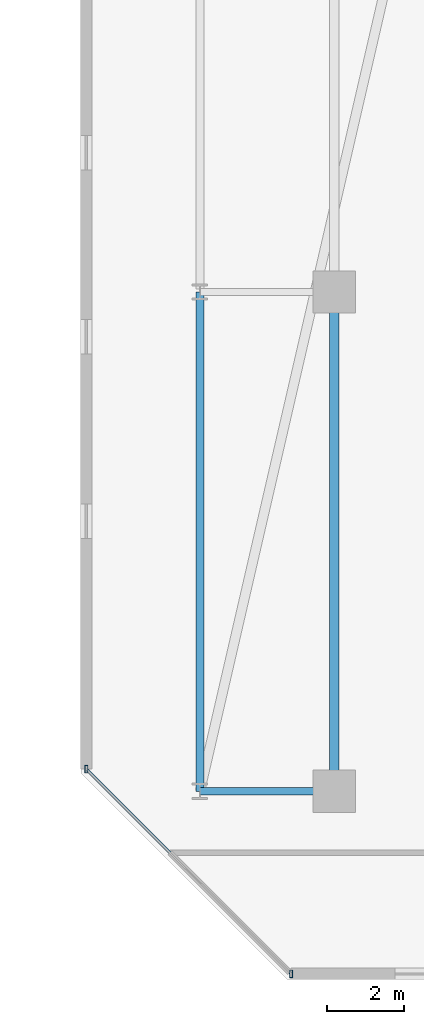
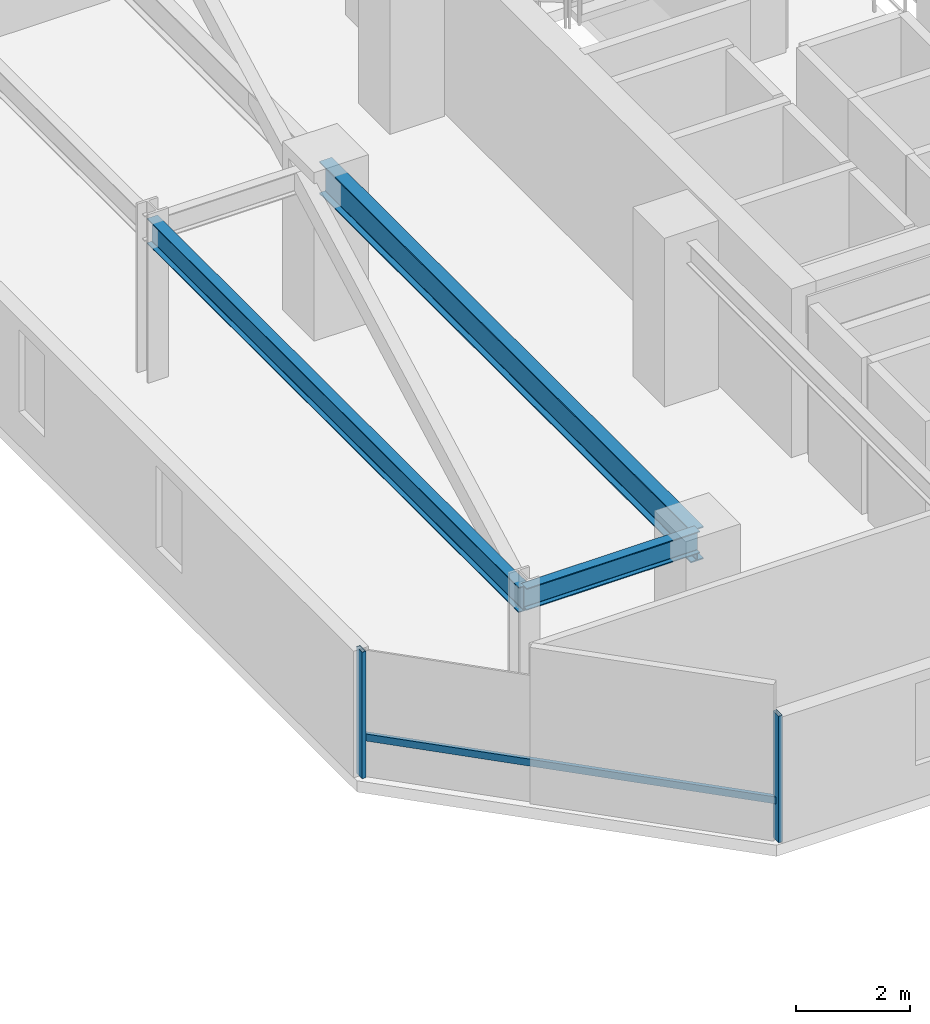
# One storey, part 6 of 33: 3 beams, 3 members, 1 element without a shape of its own.
"""IFC4 building model written with IfcOpenShell, lengths in metres."""

from ifc_helpers import new_model, si_unit, direction, frame, origin, origin_2d, place, context, subcontext, project, spatial, hollow_rectangle, i_section, extrude, material, material_profile, profile_set, type_object, element, aggregate, save


model = new_model("IFC4")

# Units and contexts
model_context = context("Model", 3, precision=1e-05, world=origin(), true_north=direction((0.0, 1.0)))
body_context = subcontext(model_context, "Body", "Model", "MODEL_VIEW")
ifc_project = project(units=[si_unit("LENGTHUNIT", "METRE"), si_unit("AREAUNIT", "SQUARE_METRE"), si_unit("VOLUMEUNIT", "CUBIC_METRE"), si_unit("PLANEANGLEUNIT", "RADIAN"), si_unit("MASSUNIT", "GRAM", prefix="KILO")], contexts=[model_context])

# Site, building, storey
site_placement = place(None, origin())
site = spatial("IfcSite", under=ifc_project, at=site_placement, CompositionType="ELEMENT")
building_placement = place(site_placement, origin())
building = spatial("IfcBuilding", under=site, at=building_placement, Name="Thornwick Lancets Civic Towers", CompositionType="ELEMENT")
storey_placement = place(building_placement, frame((0.0, 0.0, 185.699951171875)))
storey = spatial("IfcBuildingStorey", under=building, at=storey_placement, Name="L49", CompositionType="ELEMENT", Elevation=185.699951171875)

# Beams
ifc_material_1 = material(Name="Steel S355JR", Category="steel")
ifc_material_profile_1 = material_profile(ifc_material_1, i_section(OverallWidth=0.210693359375, OverallDepth=0.53955078125, WebThickness=0.01171875, FlangeThickness=0.018798828125, FilletRadius=0.0126953125, at=origin_2d()), Name="UKB 533x210x109")
ifc_profile_set_1 = profile_set([ifc_material_profile_1], Name="Steel S355JR")
beam_type_1 = type_object("IfcBeamType", Name="BM_EDGE_533_109", PredefinedType="SPANDREL", material=ifc_profile_set_1)
beam_1_placement = place(storey_placement, frame((67.699951171875, 14.0, 3.09033203125), z_axis=(0.0, 1.0, 0.0), x_axis=(-1.0, 0.0, 0.0)))
element("IfcBeam", 1, at=beam_1_placement, inside=storey, type_object=beam_type_1, Name="BM-EDGE-L49-B-S2-1", PredefinedType="SPANDREL", context=body_context, shape_type="SweptSolid", body=[
    extrude(i_section(OverallWidth=0.210693359375, OverallDepth=0.53955078125, WebThickness=0.01171875, FlangeThickness=0.018798828125, FilletRadius=0.0126953125, at=origin_2d()), origin(), (0.0, 0.0, 1.0), 13.0),
])
ifc_material_profile_2 = material_profile(ifc_material_1, i_section(OverallWidth=0.255859375, OverallDepth=0.69287109375, WebThickness=0.014404296875, FlangeThickness=0.023681640625, FilletRadius=0.01513671875, at=origin_2d()), Name="UKB 686x254x170")
ifc_profile_set_2 = profile_set([ifc_material_profile_2], Name="Steel S355JR")
beam_type_2 = type_object("IfcBeamType", Name="BM_GIRD_686_170", PredefinedType="BEAM", material=ifc_profile_set_2)
beam_2_placement = place(storey_placement, frame((71.199951171875, 14.0, 3.013427734375), z_axis=(0.0, 1.0, 0.0), x_axis=(-1.0, 0.0, 0.0)))
element("IfcBeam", 2, at=beam_2_placement, inside=storey, type_object=beam_type_2, Name="BM-SPINE-L49-B-6-7", PredefinedType="BEAM", context=body_context, shape_type="SweptSolid", body=[
    extrude(i_section(OverallWidth=0.255859375, OverallDepth=0.69287109375, WebThickness=0.014404296875, FlangeThickness=0.023681640625, FilletRadius=0.01513671875, at=origin_2d()), origin(), (0.0, 0.0, 1.0), 13.0),
])
ifc_material_profile_3 = material_profile(ifc_material_1, i_section(OverallWidth=0.19287109375, OverallDepth=0.46728515625, WebThickness=0.011474609375, FlangeThickness=0.01953125, FilletRadius=0.01025390625, at=origin_2d()), Name="UKB 457x191x98")
ifc_profile_set_3 = profile_set([ifc_material_profile_3], Name="Steel S355JR")
beam_type_3 = type_object("IfcBeamType", Name="BM_JOIST_457_98", PredefinedType="JOIST", material=ifc_profile_set_3)
beam_3_placement = place(storey_placement, frame((71.199951171875, 14.0, 3.12646484375), z_axis=(-1.0, 0.0, 0.0), x_axis=(0.0, -1.0, 0.0)))
element("IfcBeam", 3, at=beam_3_placement, inside=storey, type_object=beam_type_3, Name="BM-RAD-L49-B07", PredefinedType="JOIST", context=body_context, shape_type="SweptSolid", body=[
    extrude(i_section(OverallWidth=0.19287109375, OverallDepth=0.46728515625, WebThickness=0.011474609375, FlangeThickness=0.01953125, FilletRadius=0.01025390625, at=origin_2d()), origin(), (0.0, 0.0, 1.0), 3.5),
])

# Curtain wall, members
ifc_material_2 = material(Name="Mid-zone chamfered-corner unitised glass curtain wall", Category="glass")
curtain_wall_type = type_object("IfcCurtainWallType", Name="CW_SYS_04", PredefinedType="NOTDEFINED", material=ifc_material_2)
curtain_wall_placement = place(storey_placement, origin())
curtain_wall = element("IfcCurtainWall", 4, at=curtain_wall_placement, inside=storey, type_object=curtain_wall_type, Name="L49 Curtain Wall CW-L49-B-E7", PredefinedType="NOTDEFINED")
ifc_material_3 = material(Name="Thermally broken bronze aluminium S355", Category="steel")
ifc_material_profile_4 = material_profile(ifc_material_3, hollow_rectangle(XDim=0.080078125, YDim=0.199951171875, WallThickness=0.006103515625, at=origin_2d()), Name="RHS 200x80x6")
ifc_profile_set_4 = profile_set([ifc_material_profile_4], Name="Thermally broken bronze aluminium S355")
member_type_1 = type_object("IfcMemberType", Name="CW_MUL_200", PredefinedType="MULLION", material=ifc_profile_set_4)
member_1_placement = place(storey_placement, frame((64.744384765625, 14.576416015625, 0.0), z_axis=(0.0, 0.0, 1.0), x_axis=(1.0, 0.0, 0.0)))
member_1 = element("IfcMember", 5, at=member_1_placement, type_object=member_type_1, Name="CW-L49-B-E7 Mullion 0", PredefinedType="MULLION", context=body_context, shape_type="SweptSolid", body=[
    extrude(hollow_rectangle(XDim=0.080078125, YDim=0.199951171875, WallThickness=0.006103515625, at=origin_2d()), origin(), (0.0, 0.0, 1.0), 2.699951171875),
])
member_2_placement = place(storey_placement, frame((70.076416015625, 9.244384765625, 0.0), z_axis=(0.0, 0.0, 1.0), x_axis=(1.0, 0.0, 0.0)))
member_2 = element("IfcMember", 6, at=member_2_placement, type_object=member_type_1, Name="CW-L49-B-E7 Mullion 1", PredefinedType="MULLION", context=body_context, shape_type="SweptSolid", body=[
    extrude(hollow_rectangle(XDim=0.080078125, YDim=0.199951171875, WallThickness=0.006103515625, at=origin_2d()), origin(), (0.0, 0.0, 1.0), 2.699951171875),
])
ifc_material_profile_5 = material_profile(ifc_material_3, hollow_rectangle(XDim=0.074951171875, YDim=0.14990234375, WallThickness=0.0048828125, at=origin_2d()), Name="RHS 150x75x5")
ifc_profile_set_5 = profile_set([ifc_material_profile_5], Name="Thermally broken bronze aluminium S355")
member_type_2 = type_object("IfcMemberType", Name="CW_TRN_150", PredefinedType="USERDEFINED", material=ifc_profile_set_5)
member_3_placement = place(storey_placement, frame((64.758544921875, 14.562255859375, 0.85009765625), z_axis=(0.707106781187, -0.707106781187, 0.0), x_axis=(0.707106781187, 0.707106781187, 0.0)))
member_3 = element("IfcMember", 7, at=member_3_placement, type_object=member_type_2, Name="CW-L49-B-E7 Transom 0", ObjectType="TRANSOM", PredefinedType="USERDEFINED", context=body_context, shape_type="SweptSolid", body=[
    extrude(hollow_rectangle(XDim=0.074951171875, YDim=0.14990234375, WallThickness=0.0048828125, at=origin_2d()), origin(), (0.0, 0.0, 1.0), 7.50048828125),
])
aggregate(curtain_wall, [member_1, member_2, member_3])

save(model, "model.ifc")
